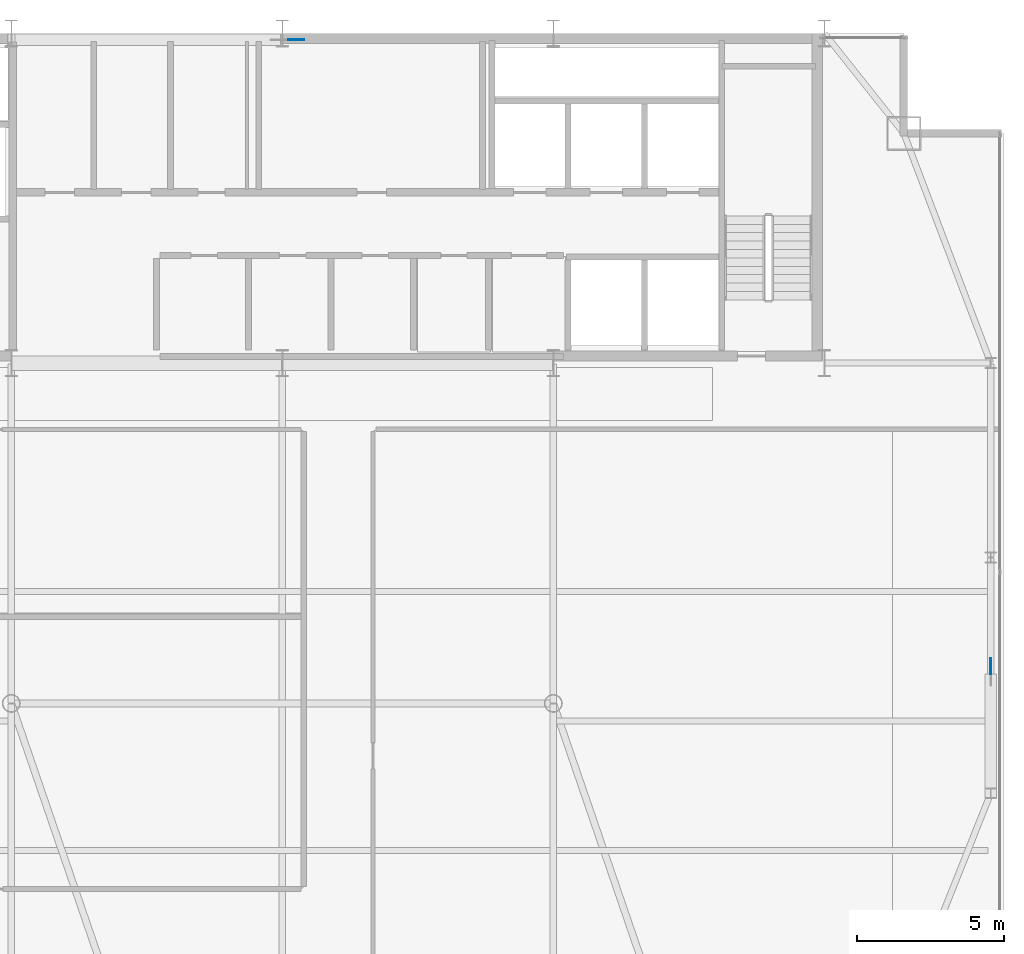
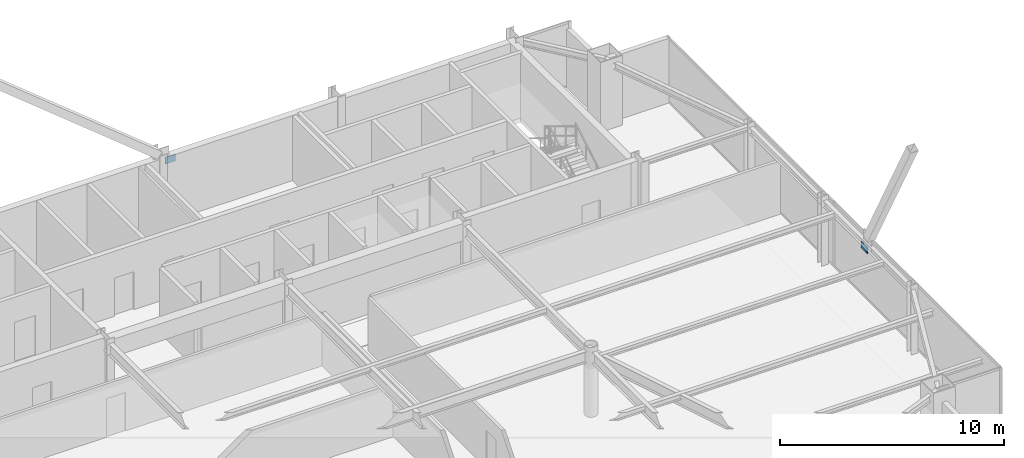
# One storey, part 23 of 27: 2 plates.
"""IFC4 building model written with IfcOpenShell, lengths in metres."""

from ifc_helpers import new_model, si_unit, direction, frame, origin, origin_2d, place, context, subcontext, project, spatial, rectangle, extrude, source, transform, mapped, material, layer, layer_set, type_object, type_shapes, element, save


model = new_model("IFC4")

# Units and contexts
model_context = context("Model", 3, precision=1e-05, world=origin(), true_north=direction((0.0, 1.0)))
body_context = subcontext(model_context, "Body", "Model", "MODEL_VIEW")
ifc_project = project(units=[si_unit("LENGTHUNIT", "METRE"), si_unit("AREAUNIT", "SQUARE_METRE"), si_unit("VOLUMEUNIT", "CUBIC_METRE"), si_unit("PLANEANGLEUNIT", "RADIAN"), si_unit("MASSUNIT", "GRAM", prefix="KILO")], contexts=[model_context])

# Site, building, storey
site_placement = place(None, origin())
site = spatial("IfcSite", under=ifc_project, at=site_placement, CompositionType="ELEMENT")
building_placement = place(site_placement, origin())
building = spatial("IfcBuilding", under=site, at=building_placement, Name="Varnel Quay Broadcast Tower", CompositionType="ELEMENT")
storey_placement = place(building_placement, frame((0.0, 0.0, 243.199951171875)))
storey = spatial("IfcBuildingStorey", under=building, at=storey_placement, Name="L60", CompositionType="ELEMENT", Elevation=243.199951171875)

# Plates
ifc_material = material(Name="Structural Steel CSA G40.21 350WT", Category="steel")
ifc_layer = layer(ifc_material, 0.031982421875, Name="Structural Steel CSA G40.21 350WT")
ifc_layer_set = layer_set([ifc_layer], Name="Structural Steel CSA G40.21 350WT")
plate_type = type_object("IfcPlateType", Name="Plate_EndCap", PredefinedType="USERDEFINED", material=ifc_layer_set)
shared_shape = source(origin(), body_context, "Body", "SweptSolid", [
    extrude(rectangle(XDim=0.5400390625, YDim=0.031982421875, at=origin_2d()), origin(), (0.0, 0.0, 1.0), 0.3798828125),
])
type_shapes(plate_type, [shared_shape])
for number, where, z_axis, x_axis, name in (
    (1, (34.475830078125, 46.580078125, 3.099609375), (0.0, 0.0, 1.0), (1.0, 0.0, 0.0), "Zone 4 Mega-Brace N-CT3 Diag B1 End Connection Plate P1"),
    (2, (58.050048828125, 25.306640625, 2.91357421875), (0.0, 0.0, 1.0), (0.0, 1.0, 0.0), "Zone 4 Mega-Brace E-FT3 Diag B1 End Connection Plate P1"),
):
    element("IfcPlate", number, at=place(storey_placement, frame(where, z_axis=z_axis, x_axis=x_axis)), inside=storey, type_object=plate_type, Name=name, ObjectType="CAP_PLATE", PredefinedType="USERDEFINED", context=body_context, shape_type="MappedRepresentation", body=[
        mapped(shared_shape, transform((0.0, 0.0, 0.0), x_axis=(1.0, 0.0, 0.0), y_axis=(0.0, 1.0, 0.0), z_axis=(0.0, 0.0, 1.0), scale=1.0)),
    ])

save(model, "model.ifc")
